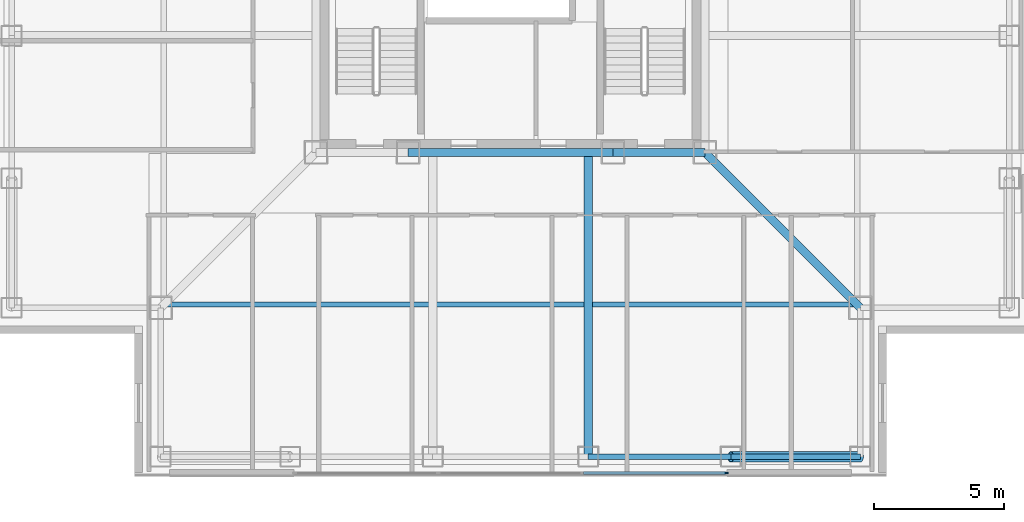
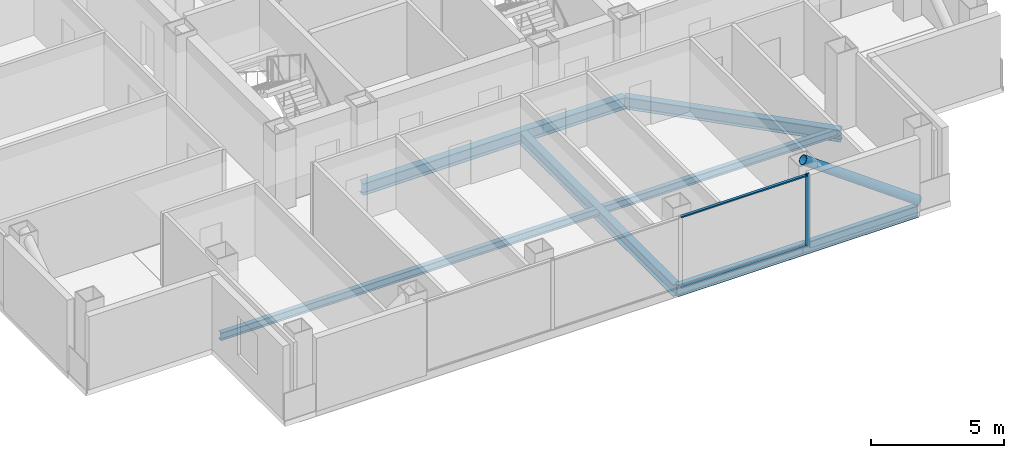
# One storey, part 3 of 17: 7 beams, 4 members, 1 element without a shape of its own.
"""IFC4 building model written with IfcOpenShell, lengths in metres."""

from ifc_helpers import new_model, si_unit, direction, frame, origin, origin_2d, place, context, subcontext, project, spatial, rectangle, hollow_circle, i_section, extrude, material, layer, layer_set, material_profile, profile_set, type_object, element, aggregate, save


model = new_model("IFC4")

# Units and contexts
model_context = context("Model", 3, precision=1e-05, world=origin(), true_north=direction((0.0, 1.0)))
body_context = subcontext(model_context, "Body", "Model", "MODEL_VIEW")
ifc_project = project(units=[si_unit("LENGTHUNIT", "METRE"), si_unit("AREAUNIT", "SQUARE_METRE"), si_unit("VOLUMEUNIT", "CUBIC_METRE"), si_unit("PLANEANGLEUNIT", "RADIAN"), si_unit("MASSUNIT", "GRAM", prefix="KILO")], contexts=[model_context])

# Site, building, storey
site_placement = place(None, origin())
site = spatial("IfcSite", under=ifc_project, at=site_placement, CompositionType="ELEMENT")
building_placement = place(site_placement, origin())
building = spatial("IfcBuilding", under=site, at=building_placement, Name="Trevonay Congress Spire", CompositionType="ELEMENT")
storey_placement = place(building_placement, frame((0.0, 0.0, 169.800048828125)))
storey = spatial("IfcBuildingStorey", under=building, at=storey_placement, Name="L43", CompositionType="ELEMENT", Elevation=169.800048828125)

# Beams
ifc_material_1 = material(Name="Steel ASTM A572 Grade 50", Category="steel")
ifc_material_profile_1 = material_profile(ifc_material_1, i_section(OverallWidth=0.31201171875, OverallDepth=0.54296875, WebThickness=0.0126953125, FlangeThickness=0.020263671875, FilletRadius=0.014892578125, at=origin_2d()), Name="W530x150")
ifc_profile_set_1 = profile_set([ifc_material_profile_1], Name="Steel ASTM A572 Grade 50")
beam_type_1 = type_object("IfcBeamType", Name="BM-GIRD-W530X150", PredefinedType="BEAM", material=ifc_profile_set_1)
beam_1_placement = place(storey_placement, frame((-3.949951171875, -7.5, -0.511474609375), z_axis=(1.0, 0.0, 0.0), x_axis=(0.0, 1.0, 0.0)))
element("IfcBeam", 1, at=beam_1_placement, inside=storey, type_object=beam_type_1, Name="L43 structural beam BM-L43-CR-S2", PredefinedType="BEAM", context=body_context, shape_type="SweptSolid", body=[
    extrude(i_section(OverallWidth=0.31201171875, OverallDepth=0.54296875, WebThickness=0.0126953125, FlangeThickness=0.020263671875, FilletRadius=0.014892578125, at=origin_2d()), origin(), (0.0, 0.0, 1.0), 7.89990234375),
])
beam_2_placement = place(storey_placement, frame((3.949951171875, -7.5, -0.511474609375), z_axis=(1.0, 0.0, 0.0), x_axis=(0.0, 1.0, 0.0)))
element("IfcBeam", 2, at=beam_2_placement, inside=storey, type_object=beam_type_1, Name="L43 structural beam BM-L43-CR-S3", PredefinedType="BEAM", context=body_context, shape_type="SweptSolid", body=[
    extrude(i_section(OverallWidth=0.31201171875, OverallDepth=0.54296875, WebThickness=0.0126953125, FlangeThickness=0.020263671875, FilletRadius=0.014892578125, at=origin_2d()), origin(), (0.0, 0.0, 1.0), 3.550048828125),
])
beam_3_placement = place(storey_placement, frame((7.5, -7.5, -0.511474609375), z_axis=(0.707106781187, -0.707106781187, 0.0), x_axis=(0.707106781187, 0.707106781187, 0.0)))
element("IfcBeam", 3, at=beam_3_placement, inside=storey, type_object=beam_type_1, Name="L43 structural beam BM-L43-CDSE", PredefinedType="BEAM", context=body_context, shape_type="SweptSolid", body=[
    extrude(i_section(OverallWidth=0.31201171875, OverallDepth=0.54296875, WebThickness=0.0126953125, FlangeThickness=0.020263671875, FilletRadius=0.014892578125, at=origin_2d()), origin(), (0.0, 0.0, 1.0), 8.4853515625),
])
beam_4_placement = place(storey_placement, frame((3.0, -7.5, -0.511474609375), z_axis=(0.0, -1.0, 0.0), x_axis=(1.0, 0.0, 0.0)))
element("IfcBeam", 4, at=beam_4_placement, inside=storey, type_object=beam_type_1, Name="L43 structural beam BM-L43-GS-P", PredefinedType="BEAM", context=body_context, shape_type="SweptSolid", body=[
    extrude(i_section(OverallWidth=0.31201171875, OverallDepth=0.54296875, WebThickness=0.0126953125, FlangeThickness=0.020263671875, FilletRadius=0.014892578125, at=origin_2d()), origin(), (0.0, 0.0, 1.0), 11.75),
])
ifc_material_profile_2 = material_profile(ifc_material_1, i_section(OverallWidth=0.2119140625, OverallDepth=0.5439453125, WebThickness=0.01318359375, FlangeThickness=0.021240234375, FilletRadius=0.014892578125, at=origin_2d()), Name="W530x123")
ifc_profile_set_2 = profile_set([ifc_material_profile_2], Name="Steel ASTM A572 Grade 50")
beam_type_2 = type_object("IfcBeamType", Name="BM-RING-W530X123", PredefinedType="BEAM", material=ifc_profile_set_2)
beam_5_placement = place(storey_placement, frame((3.0, -19.25, -0.511962890625), z_axis=(1.0, 0.0, 0.0), x_axis=(0.0, 1.0, 0.0)))
element("IfcBeam", 5, at=beam_5_placement, inside=storey, type_object=beam_type_2, Name="L43 structural beam BM-L43-PS4", PredefinedType="BEAM", context=body_context, shape_type="SweptSolid", body=[
    extrude(i_section(OverallWidth=0.2119140625, OverallDepth=0.5439453125, WebThickness=0.01318359375, FlangeThickness=0.021240234375, FilletRadius=0.014892578125, at=origin_2d()), origin(), (0.0, 0.0, 1.0), 5.5),
])
beam_6_placement = place(storey_placement, frame((8.5, -19.25, -0.511962890625), z_axis=(1.0, 0.0, 0.0), x_axis=(0.0, 1.0, 0.0)))
element("IfcBeam", 6, at=beam_6_placement, inside=storey, type_object=beam_type_2, Name="L43 structural beam BM-L43-PS5", PredefinedType="BEAM", context=body_context, shape_type="SweptSolid", body=[
    extrude(i_section(OverallWidth=0.2119140625, OverallDepth=0.5439453125, WebThickness=0.01318359375, FlangeThickness=0.021240234375, FilletRadius=0.014892578125, at=origin_2d()), origin(), (0.0, 0.0, 1.0), 5.0),
])

# Curtain wall, members
ifc_material_2 = material(Name="Pale Anodised Aluminium EN AW-6063-T6", Category="aluminium")
ifc_layer = layer(ifc_material_2, 0.169921875, Name="Pale Anodised Aluminium EN AW-6063-T6")
ifc_layer_set = layer_set([ifc_layer], Name="Pale Anodised Aluminium EN AW-6063-T6")
curtain_wall_type = type_object("IfcCurtainWallType", Name="CW-SYS04-CORP-PALE-METAL", PredefinedType="NOTDEFINED", material=ifc_layer_set)
curtain_wall_placement = place(storey_placement, origin())
curtain_wall = element("IfcCurtainWall", 7, at=curtain_wall_placement, inside=storey, type_object=curtain_wall_type, Name="L43 S unitised curtain wall", PredefinedType="NOTDEFINED")
ifc_material_profile_3 = material_profile(ifc_material_2, rectangle(XDim=0.06005859375, YDim=0.159912109375, at=origin_2d()), Name="CW-MULLION-160-ALUMINIUM")
ifc_profile_set_3 = profile_set([ifc_material_profile_3], Name="Pale Anodised Aluminium EN AW-6063-T6")
member_type_1 = type_object("IfcMemberType", Name="CW-MULLION-160-ALUMINIUM", PredefinedType="MULLION", material=ifc_profile_set_3)
member_1_placement = place(storey_placement, frame((8.320068359375, -19.8798828125, 0.0), z_axis=(0.0, 0.0, 1.0), x_axis=(0.0, 1.0, 0.0)))
member_1 = element("IfcMember", 8, at=member_1_placement, type_object=member_type_1, Name="CW04 mullion 4", PredefinedType="MULLION", context=body_context, shape_type="SweptSolid", body=[
    extrude(rectangle(XDim=0.06005859375, YDim=0.159912109375, at=origin_2d()), origin(), (0.0, 0.0, 1.0), 3.35986328125),
])
ifc_material_profile_4 = material_profile(ifc_material_2, rectangle(XDim=0.1201171875, YDim=0.06005859375, at=origin_2d()), Name="CW-TRANSOM-120-ALUMINIUM")
ifc_profile_set_4 = profile_set([ifc_material_profile_4], Name="Pale Anodised Aluminium EN AW-6063-T6")
member_type_2 = type_object("IfcMemberType", Name="CW-TRANSOM-120-ALUMINIUM", PredefinedType="USERDEFINED", material=ifc_profile_set_4)
member_2_placement = place(storey_placement, frame((2.813232421875, -19.8798828125, 0.06005859375), z_axis=(1.0, 0.0, 0.0), x_axis=(0.0, 1.0, 0.0)))
member_2 = element("IfcMember", 9, at=member_2_placement, type_object=member_type_2, Name="CW04 transom 3.1", ObjectType="TRANSOM", PredefinedType="USERDEFINED", context=body_context, shape_type="SweptSolid", body=[
    extrude(rectangle(XDim=0.1201171875, YDim=0.06005859375, at=origin_2d()), origin(), (0.0, 0.0, 1.0), 5.476806640625),
])
member_3_placement = place(storey_placement, frame((2.813232421875, -19.8798828125, 3.300048828125), z_axis=(1.0, 0.0, 0.0), x_axis=(0.0, 1.0, 0.0)))
member_3 = element("IfcMember", 10, at=member_3_placement, type_object=member_type_2, Name="CW04 transom 3.2", ObjectType="TRANSOM", PredefinedType="USERDEFINED", context=body_context, shape_type="SweptSolid", body=[
    extrude(rectangle(XDim=0.1201171875, YDim=0.06005859375, at=origin_2d()), origin(), (0.0, 0.0, 1.0), 5.476806640625),
])
aggregate(curtain_wall, [member_1, member_2, member_3])

# Beam
ifc_material_profile_5 = material_profile(ifc_material_1, i_section(OverallWidth=0.205078125, OverallDepth=0.35400390625, WebThickness=0.009521484375, FlangeThickness=0.016845703125, FilletRadius=0.011962890625, at=origin_2d()), Name="W360x79")
ifc_profile_set_5 = profile_set([ifc_material_profile_5], Name="Steel ASTM A572 Grade 50")
beam_type_3 = type_object("IfcBeamType", Name="JS-COMP-W360X79", PredefinedType="JOIST", material=ifc_profile_set_5)
beam_7_placement = place(storey_placement, frame((-13.5, -13.375, -0.4169921875), z_axis=(1.0, 0.0, 0.0), x_axis=(0.0, 1.0, 0.0)))
element("IfcBeam", 11, at=beam_7_placement, inside=storey, type_object=beam_type_3, Name="L43 structural beam JS-L43-RING-S", PredefinedType="JOIST", context=body_context, shape_type="SweptSolid", body=[
    extrude(i_section(OverallWidth=0.205078125, OverallDepth=0.35400390625, WebThickness=0.009521484375, FlangeThickness=0.016845703125, FilletRadius=0.011962890625, at=origin_2d()), origin(), (0.0, 0.0, 1.0), 27.0),
])

# Member
ifc_material_3 = material(Name="Steel ASTM A500 Grade C", Category="steel")
ifc_material_profile_6 = material_profile(ifc_material_3, hollow_circle(Radius=0.203125, WallThickness=0.02001953125, at=origin_2d()), Name="CHS 406.4x20")
ifc_profile_set_6 = profile_set([ifc_material_profile_6], Name="Steel ASTM A500 Grade C")
member_type_3 = type_object("IfcMemberType", Name="MBR-TUBE-CHS406", PredefinedType="BRACE", material=ifc_profile_set_6)
member_4_placement = place(storey_placement, frame((13.5, -19.25, -0.050048828125), z_axis=(-0.811526825515, 0.0, 0.584315164504), x_axis=(0.0, -1.0, 0.0)))
element("IfcMember", 12, at=member_4_placement, inside=storey, type_object=member_type_3, Name="L43 perimeter braced-tube diagonal S4", PredefinedType="BRACE", context=body_context, shape_type="SweptSolid", body=[
    extrude(hollow_circle(Radius=0.203125, WallThickness=0.02001953125, at=origin_2d()), origin(), (0.0, 0.0, 1.0), 6.1611328125),
])

save(model, "model.ifc")
